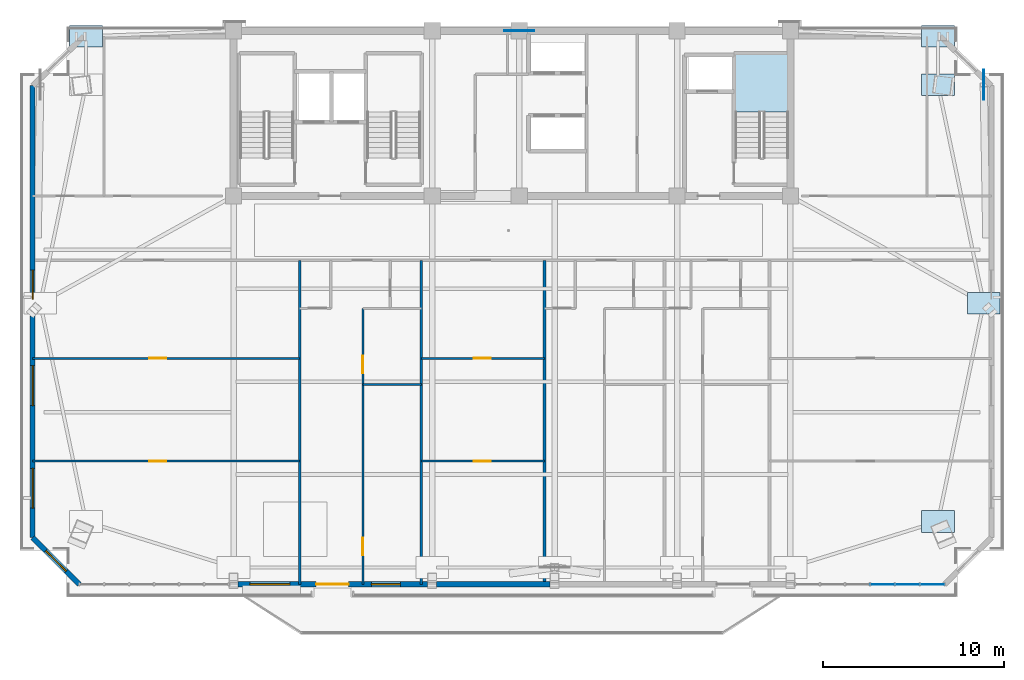
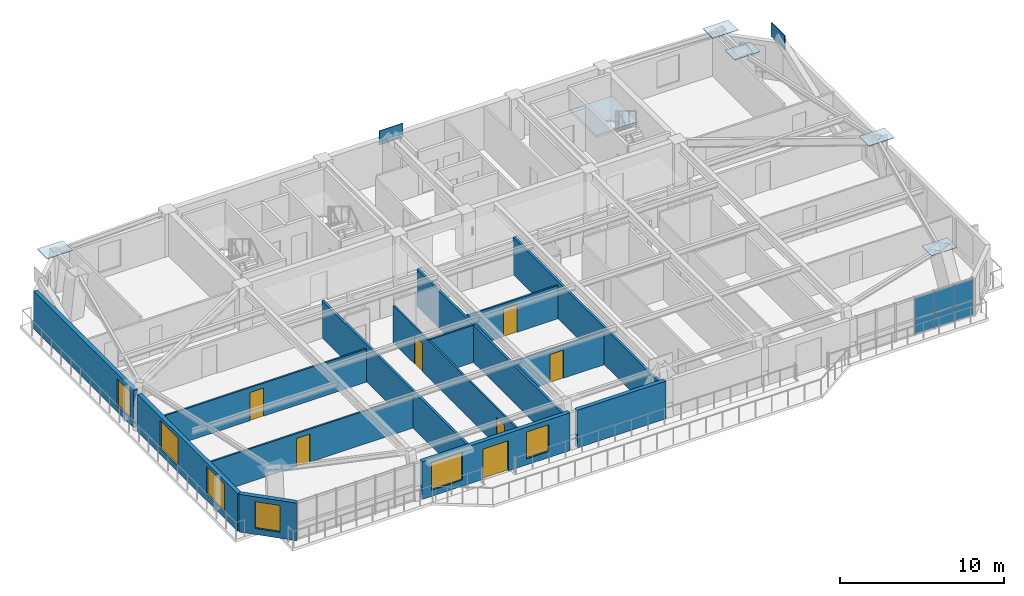
# One storey, part 8 of 18: 14 walls, 13 plates, 7 doors, 6 windows, 1 slab, 13 openings, 2 elements without a shape of their own.
"""IFC4 building model written with IfcOpenShell, lengths in metres."""

from ifc_helpers import new_model, si_unit, direction, frame, frame_2d, origin, origin_2d, place, context, subcontext, project, spatial, polyline, rectangle, outline, extrude, source, transform, mapped, material, layer, layer_set, type_object, element, fill, aggregate, save


model = new_model("IFC4")

# Units and contexts
model_context = context("Model", 3, precision=1e-05, world=origin(), true_north=direction((0.0, 1.0)))
body_context = subcontext(model_context, "Body", "Model", "MODEL_VIEW")
ifc_project = project(units=[si_unit("LENGTHUNIT", "METRE"), si_unit("AREAUNIT", "SQUARE_METRE"), si_unit("VOLUMEUNIT", "CUBIC_METRE"), si_unit("PLANEANGLEUNIT", "RADIAN"), si_unit("MASSUNIT", "GRAM", prefix="KILO")], contexts=[model_context])

# Site, building, storey
site_placement = place(None, origin())
site = spatial("IfcSite", under=ifc_project, at=site_placement, CompositionType="ELEMENT")
building_placement = place(site_placement, origin())
building = spatial("IfcBuilding", under=site, at=building_placement, Name="Giltprow Tower", CompositionType="ELEMENT")
storey_placement = place(building_placement, frame((0.0, 0.0, 265.5)))
storey = spatial("IfcBuildingStorey", under=building, at=storey_placement, Name="L68", CompositionType="ELEMENT", Elevation=265.5)

# Stair, slab
ifc_material_1 = material(Name="Concrete C40", Category="concrete")
stair_type = type_object("IfcStairType", Name="STR-ST-3", PredefinedType="HALF_TURN_STAIR", material=ifc_material_1)
stair_placement = place(storey_placement, origin())
stair = element("IfcStair", 1, at=stair_placement, inside=storey, type_object=stair_type, Name="L68 Core Exit Stair ST-3", PredefinedType="HALF_TURN_STAIR")
ifc_layer_1 = layer(ifc_material_1, 0.196044921875, Name="Concrete C40")
ifc_layer_set_1 = layer_set([ifc_layer_1], Name="Concrete C40")
slab_type = type_object("IfcSlabType", Name="SLD-ST-3", PredefinedType="LANDING", material=ifc_layer_set_1)
slab_placement = place(storey_placement, frame((0.0, 0.0, 1.50390625)))
slab = element("IfcSlab", 2, at=slab_placement, type_object=slab_type, Name="ST-3 landing 1", PredefinedType="LANDING", context=body_context, shape_type="SweptSolid", body=[
    extrude(outline(polyline([(50.4599609375, 42.070068359375), (50.4599609375, 45.25), (47.5, 45.25), (47.5, 42.070068359375), (50.4599609375, 42.070068359375)])), origin(), (0.0, 0.0, 1.0), 0.196044921875),
])
aggregate(stair, [slab])

# Plates
ifc_material_2 = material(Name="Structural steel Q420GJC", Category="steel")
plate_type_1 = type_object("IfcPlateType", Name="PLT-NODE-CKN1", PredefinedType="USERDEFINED", material=ifc_material_2)
shared_shape_1 = source(origin(), body_context, "Body", "SweptSolid", [
    extrude(rectangle(XDim=1.800048828125, YDim=1.199951171875, at=origin_2d()), origin(), (0.0, 0.0, 1.0), 0.044921875),
])
for number, where, z_axis, x_axis, name in (
    (3, (58.68408203125, 19.4990234375, 3.142578125), (0.0, 0.0, 1.0), (1.0, 0.0, 0.0), "CKN1 Column Taper Splice Node L68-MC_SE"),
    (4, (58.68408203125, 43.576904296875, 3.142578125), (0.0, 0.0, 1.0), (1.0, 0.0, 0.0), "CKN1 Column Taper Splice Node L68-MC_NE"),
    (5, (61.20703125, 31.5380859375, 3.142578125), (0.0, 0.0, 1.0), (1.0, 0.0, 0.0), "CKN1 Column Taper Splice Node L68-E_MID"),
    (6, (11.717041015625, 46.25, 3.142578125), (0.0, 0.0, 1.0), (1.0, 0.0, 0.0), "CKN1 Column Taper Splice Node L68-N_W"),
    (7, (58.68408203125, 46.25, 3.142578125), (0.0, 0.0, 1.0), (1.0, 0.0, 0.0), "CKN1 Column Taper Splice Node L68-N_E"),
):
    element("IfcPlate", number, at=place(storey_placement, frame(where, z_axis=z_axis, x_axis=x_axis)), inside=storey, type_object=plate_type_1, Name=name, ObjectType="SPLICE", PredefinedType="USERDEFINED", context=body_context, shape_type="MappedRepresentation", body=[
        mapped(shared_shape_1, transform((0.0, 0.0, 0.0), x_axis=(1.0, 0.0, 0.0), y_axis=(0.0, 1.0, 0.0), z_axis=(0.0, 0.0, 1.0), scale=1.0)),
    ])
plate_type_2 = type_object("IfcPlateType", Name="PLT-NODE-MBN2", PredefinedType="USERDEFINED", material=ifc_material_2)
shared_shape_2 = source(origin(), body_context, "Body", "SweptSolid", [
    extrude(rectangle(XDim=1.64990234375, YDim=0.044921875, at=origin_2d()), origin(), (0.0, 0.0, 1.0), 1.050048828125),
])
for number, where, z_axis, x_axis, name in (
    (8, (35.60009765625, 46.550048828125, 2.73486328125), (0.0, 0.0, 1.0), (1.0, 0.0, 0.0), "Mega-Brace Node L68-N-LB"),
    (9, (61.20703125, 43.576904296875, 2.875), (0.0, 0.0, 1.0), (0.0, 1.0, 0.0), "Mega-Brace Node L68-E-DB"),
):
    element("IfcPlate", number, at=place(storey_placement, frame(where, z_axis=z_axis, x_axis=x_axis)), inside=storey, type_object=plate_type_2, Name=name, ObjectType="GUSSET", PredefinedType="USERDEFINED", context=body_context, shape_type="MappedRepresentation", body=[
        mapped(shared_shape_2, transform((0.0, 0.0, 0.0), x_axis=(1.0, 0.0, 0.0), y_axis=(0.0, 1.0, 0.0), z_axis=(0.0, 0.0, 1.0), scale=1.0)),
    ])

# Curtain wall, plates
ifc_material_3 = material(Name="Anodized bronze", Category="metal")
ifc_layer_2 = layer(ifc_material_3, 0.179931640625, Name="Anodized bronze")
ifc_layer_set_2 = layer_set([ifc_layer_2], Name="Anodized bronze")
curtain_wall_type = type_object("IfcCurtainWallType", Name="CW-RES-SKY", PredefinedType="NOTDEFINED", material=ifc_layer_set_2)
curtain_wall_placement = place(storey_placement, origin())
curtain_wall = element("IfcCurtainWall", 10, at=curtain_wall_placement, inside=storey, type_object=curtain_wall_type, Name="L68 South Recessed Curtain Wall 6", PredefinedType="NOTDEFINED")
ifc_material_4 = material(Name="Insulated glass", Category="glass")
plate_type_3 = type_object("IfcPlateType", Name="CW-PANEL-IGU-28", PredefinedType="CURTAIN_PANEL", material=ifc_material_4)
shared_shape_3 = source(origin(), body_context, "Body", "SweptSolid", [
    extrude(rectangle(XDim=1.345947265625, YDim=0.028076171875, at=origin_2d()), origin(), (0.0, 0.0, 1.0), 1.114013671875),
])
plate_1_placement = place(storey_placement, frame((55.614013671875, 16.044921875, 0.05419921875), z_axis=(0.0, 0.0, 1.0), x_axis=(1.0, 0.0, 0.0)))
plate_1 = element("IfcPlate", 11, at=plate_1_placement, type_object=plate_type_3, Name="L68 South Recessed Curtain Wall 6 Glazing Panel 4-1", PredefinedType="CURTAIN_PANEL", context=body_context, shape_type="MappedRepresentation", body=[
    mapped(shared_shape_3, transform((0.0, 0.0, 0.0), x_axis=(1.0, 0.0, 0.0), y_axis=(0.0, 1.0, 0.0), z_axis=(0.0, 0.0, 1.0), scale=1.0)),
])
plate_2_placement = place(storey_placement, frame((56.989990234375, 16.044921875, 0.05419921875), z_axis=(0.0, 0.0, 1.0), x_axis=(1.0, 0.0, 0.0)))
plate_2 = element("IfcPlate", 12, at=plate_2_placement, type_object=plate_type_3, Name="L68 South Recessed Curtain Wall 6 Glazing Panel 5-1", PredefinedType="CURTAIN_PANEL", context=body_context, shape_type="MappedRepresentation", body=[
    mapped(shared_shape_3, transform((0.0, 0.0, 0.0), x_axis=(1.0, 0.0, 0.0), y_axis=(0.0, 1.0, 0.0), z_axis=(0.0, 0.0, 1.0), scale=1.0)),
])
plate_3_placement = place(storey_placement, frame((58.364990234375, 16.044921875, 0.05419921875), z_axis=(0.0, 0.0, 1.0), x_axis=(1.0, 0.0, 0.0)))
plate_3 = element("IfcPlate", 13, at=plate_3_placement, type_object=plate_type_3, Name="L68 South Recessed Curtain Wall 6 Glazing Panel 6-1", PredefinedType="CURTAIN_PANEL", context=body_context, shape_type="MappedRepresentation", body=[
    mapped(shared_shape_3, transform((0.0, 0.0, 0.0), x_axis=(1.0, 0.0, 0.0), y_axis=(0.0, 1.0, 0.0), z_axis=(0.0, 0.0, 1.0), scale=1.0)),
])
shared_shape_4 = source(origin(), body_context, "Body", "SweptSolid", [
    extrude(rectangle(XDim=1.345947265625, YDim=0.028076171875, at=origin_2d()), origin(), (0.0, 0.0, 1.0), 1.56494140625),
])
plate_4_placement = place(storey_placement, frame((55.614013671875, 16.044921875, 1.195556640625), z_axis=(0.0, 0.0, 1.0), x_axis=(1.0, 0.0, 0.0)))
plate_4 = element("IfcPlate", 14, at=plate_4_placement, type_object=plate_type_3, Name="L68 South Recessed Curtain Wall 6 Glazing Panel 4-2", PredefinedType="CURTAIN_PANEL", context=body_context, shape_type="MappedRepresentation", body=[
    mapped(shared_shape_4, transform((0.0, 0.0, 0.0), x_axis=(1.0, 0.0, 0.0), y_axis=(0.0, 1.0, 0.0), z_axis=(0.0, 0.0, 1.0), scale=1.0)),
])
plate_5_placement = place(storey_placement, frame((56.989990234375, 16.044921875, 1.195556640625), z_axis=(0.0, 0.0, 1.0), x_axis=(1.0, 0.0, 0.0)))
plate_5 = element("IfcPlate", 15, at=plate_5_placement, type_object=plate_type_3, Name="L68 South Recessed Curtain Wall 6 Glazing Panel 5-2", PredefinedType="CURTAIN_PANEL", context=body_context, shape_type="MappedRepresentation", body=[
    mapped(shared_shape_4, transform((0.0, 0.0, 0.0), x_axis=(1.0, 0.0, 0.0), y_axis=(0.0, 1.0, 0.0), z_axis=(0.0, 0.0, 1.0), scale=1.0)),
])
plate_6_placement = place(storey_placement, frame((58.364990234375, 16.044921875, 1.195556640625), z_axis=(0.0, 0.0, 1.0), x_axis=(1.0, 0.0, 0.0)))
plate_6 = element("IfcPlate", 16, at=plate_6_placement, type_object=plate_type_3, Name="L68 South Recessed Curtain Wall 6 Glazing Panel 6-2", PredefinedType="CURTAIN_PANEL", context=body_context, shape_type="MappedRepresentation", body=[
    mapped(shared_shape_4, transform((0.0, 0.0, 0.0), x_axis=(1.0, 0.0, 0.0), y_axis=(0.0, 1.0, 0.0), z_axis=(0.0, 0.0, 1.0), scale=1.0)),
])
aggregate(curtain_wall, [plate_1, plate_4, plate_2, plate_5, plate_3, plate_6])

# Wall, opening, window
ifc_material_5 = material(Name="Precast concrete C40", Category="concrete")
ifc_layer_3 = layer(ifc_material_5, 0.300048828125, Name="Precast concrete C40")
ifc_layer_set_3 = layer_set([ifc_layer_3], Name="Precast concrete C40")
wall_type_1 = type_object("IfcWallType", Name="EW-NOTCH-CHAMFER-300", PredefinedType="SOLIDWALL", material=ifc_layer_set_3)
wall_1_placement = place(storey_placement, frame((8.779052734375, 18.614013671875, 0.0), z_axis=(0.0, 0.0, 1.0), x_axis=(0.707073180636, -0.70714038014, 0.0)))
wall_1 = element("IfcWall", 17, at=wall_1_placement, inside=storey, type_object=wall_type_1, Name="L68 Corner Notch Wall SW", PredefinedType="SOLIDWALL", context=body_context, shape_type="SweptSolid", body=[
    extrude(rectangle(XDim=3.633056640625, YDim=0.300048828125, at=frame_2d((1.81640625, 0.0))), origin(), (0.0, 0.0, 1.0), 2.81494140625),
])
opening_1_placement = place(wall_1_placement, frame((1.01708984375, 0.0, 0.449951171875)))
opening_1 = element("IfcOpeningElement", 18, at=opening_1_placement, cuts=wall_1, Name="Opening WN17", PredefinedType="OPENING", context=body_context, shape_type="SweptSolid", body=[
    extrude(rectangle(XDim=1.60009765625, YDim=2.0, at=frame_2d((0.800048828125, 1.0))), frame((0.0, 0.159912109375, 0.0), z_axis=(0.0, -1.0, 0.0), x_axis=(1.0, 0.0, 0.0)), (0.0, 0.0, 1.0), 0.320068359375),
])
window_type_1 = type_object("IfcWindowType", Name="WN-COR-1600x2000", PartitioningType="SINGLE_PANEL", PredefinedType="WINDOW", material=ifc_material_4)
shared_shape_5 = source(origin(), body_context, "Body", "SweptSolid", [
    extrude(rectangle(XDim=1.60009765625, YDim=2.0, at=frame_2d((0.800048828125, 1.0))), frame((0.0, 0.030029296875, 0.0), z_axis=(0.0, -1.0, 0.0), x_axis=(1.0, 0.0, 0.0)), (0.0, 0.0, 1.0), 0.06005859375),
])
window_1_placement = place(opening_1_placement, origin())
window_1 = element("IfcWindow", 19, at=window_1_placement, inside=storey, type_object=window_type_1, Name="L68 Corner Notch Window SW", OverallHeight=2.0, OverallWidth=1.60009765625, PartitioningType="SINGLE_PANEL", PredefinedType="WINDOW", context=body_context, shape_type="MappedRepresentation", body=[
    mapped(shared_shape_5, transform((0.0, 0.0, 0.0), x_axis=(1.0, 0.0, 0.0), y_axis=(0.0, 1.0, 0.0), z_axis=(0.0, 0.0, 1.0), scale=1.0)),
])
fill(opening_1, window_1)

# Wall, openings, windows, door
ifc_layer_4 = layer(ifc_material_5, 0.280029296875, Name="Precast concrete C40")
ifc_layer_set_4 = layer_set([ifc_layer_4], Name="Precast concrete C40")
wall_type_2 = type_object("IfcWallType", Name="EW-TOW-BRONZE-280", PredefinedType="SOLIDWALL", material=ifc_layer_set_4)
wall_2_placement = place(storey_placement, frame((20.10009765625, 16.044921875, 0.0), z_axis=(0.0, 0.0, 1.0), x_axis=(1.0, 0.0, 0.0)))
wall_2 = element("IfcWall", 20, at=wall_2_placement, inside=storey, type_object=wall_type_2, Name="L68 South Expressed Frame Wall 2", PredefinedType="SOLIDWALL", context=body_context, shape_type="SweptSolid", body=[
    extrude(rectangle(XDim=10.449951171875, YDim=0.280029296875, at=frame_2d((5.22509765625, 0.0))), origin(), (0.0, 0.0, 1.0), 2.81494140625),
])
opening_2_placement = place(wall_2_placement, frame((4.300048828125, 0.0, 0.0)))
opening_2 = element("IfcOpeningElement", 21, at=opening_2_placement, cuts=wall_2, Name="Opening ED25", PredefinedType="OPENING", context=body_context, shape_type="SweptSolid", body=[
    extrude(rectangle(XDim=1.800048828125, YDim=2.25, at=frame_2d((0.89990234375, 1.125))), frame((0.0, 0.14990234375, 0.0), z_axis=(0.0, -1.0, 0.0), x_axis=(1.0, 0.0, 0.0)), (0.0, 0.0, 1.0), 0.300048828125),
])
opening_3_placement = place(wall_2_placement, frame((0.64990234375, 0.0, 0.449951171875)))
opening_3 = element("IfcOpeningElement", 22, at=opening_3_placement, cuts=wall_2, Name="Opening WN27", PredefinedType="OPENING", context=body_context, shape_type="SweptSolid", body=[
    extrude(rectangle(XDim=2.199951171875, YDim=2.10009765625, at=frame_2d((1.10009765625, 1.050048828125))), frame((0.0, 0.14990234375, 0.0), z_axis=(0.0, -1.0, 0.0), x_axis=(1.0, 0.0, 0.0)), (0.0, 0.0, 1.0), 0.300048828125),
])
opening_4_placement = place(wall_2_placement, frame((7.35009765625, 0.0, 0.449951171875)))
opening_4 = element("IfcOpeningElement", 23, at=opening_4_placement, cuts=wall_2, Name="Opening WN17", PredefinedType="OPENING", context=body_context, shape_type="SweptSolid", body=[
    extrude(rectangle(XDim=1.60009765625, YDim=2.0, at=frame_2d((0.800048828125, 1.0))), frame((0.0, 0.14990234375, 0.0), z_axis=(0.0, -1.0, 0.0), x_axis=(1.0, 0.0, 0.0)), (0.0, 0.0, 1.0), 0.300048828125),
])
window_2_placement = place(opening_4_placement, origin())
window_2 = element("IfcWindow", 24, at=window_2_placement, inside=storey, type_object=window_type_1, Name="L68 South Window 2B", OverallHeight=2.0, OverallWidth=1.60009765625, PartitioningType="SINGLE_PANEL", PredefinedType="WINDOW", context=body_context, shape_type="MappedRepresentation", body=[
    mapped(shared_shape_5, transform((0.0, 0.0, 0.0), x_axis=(1.0, 0.0, 0.0), y_axis=(0.0, 1.0, 0.0), z_axis=(0.0, 0.0, 1.0), scale=1.0)),
])
fill(opening_4, window_2)
ifc_material_6 = material(Name="Anodized bronze and glass", Category="glass")
door_type_1 = type_object("IfcDoorType", Name="DR-BALC-SLIDE-1800", OperationType="SLIDING_TO_LEFT", PredefinedType="DOOR", material=ifc_material_6)
shared_shape_6 = source(origin(), body_context, "Body", "SweptSolid", [
    extrude(rectangle(XDim=1.800048828125, YDim=2.25, at=frame_2d((0.89990234375, 1.125))), frame((0.0, 0.02490234375, 0.0), z_axis=(0.0, -1.0, 0.0), x_axis=(1.0, 0.0, 0.0)), (0.0, 0.0, 1.0), 0.050048828125),
])
door_1_placement = place(opening_2_placement, origin())
door_1 = element("IfcDoor", 25, at=door_1_placement, inside=storey, type_object=door_type_1, Name="L68 Waterfront Balcony Sliding Door 1", OperationType="SLIDING_TO_LEFT", OverallHeight=2.25, OverallWidth=1.800048828125, PredefinedType="DOOR", context=body_context, shape_type="MappedRepresentation", body=[
    mapped(shared_shape_6, transform((0.0, 0.0, 0.0), x_axis=(1.0, 0.0, 0.0), y_axis=(0.0, 1.0, 0.0), z_axis=(0.0, 0.0, 1.0), scale=1.0)),
])
fill(opening_2, door_1)
window_type_2 = type_object("IfcWindowType", Name="WN-RES-2200x2100", PartitioningType="TRIPLE_PANEL_VERTICAL", PredefinedType="WINDOW", material=ifc_material_4)
shared_shape_7 = source(origin(), body_context, "Body", "SweptSolid", [
    extrude(rectangle(XDim=2.199951171875, YDim=2.10009765625, at=frame_2d((1.10009765625, 1.050048828125))), frame((0.0, 0.030029296875, 0.0), z_axis=(0.0, -1.0, 0.0), x_axis=(1.0, 0.0, 0.0)), (0.0, 0.0, 1.0), 0.06005859375),
])
window_3_placement = place(opening_3_placement, origin())
window_3 = element("IfcWindow", 26, at=window_3_placement, inside=storey, type_object=window_type_2, Name="L68 South Window 2A", OverallHeight=2.10009765625, OverallWidth=2.199951171875, PartitioningType="SINGLE_PANEL", PredefinedType="WINDOW", context=body_context, shape_type="MappedRepresentation", body=[
    mapped(shared_shape_7, transform((0.0, 0.0, 0.0), x_axis=(1.0, 0.0, 0.0), y_axis=(0.0, 1.0, 0.0), z_axis=(0.0, 0.0, 1.0), scale=1.0)),
])
fill(opening_3, window_3)

# Wall
wall_3_placement = place(storey_placement, frame((31.050048828125, 16.044921875, 0.0), z_axis=(0.0, 0.0, 1.0), x_axis=(1.0, 0.0, 0.0)))
element("IfcWall", 27, at=wall_3_placement, inside=storey, type_object=wall_type_2, Name="L68 South Expressed Frame Wall 3", PredefinedType="SOLIDWALL", context=body_context, shape_type="SweptSolid", body=[
    extrude(rectangle(XDim=6.25, YDim=0.280029296875, at=frame_2d((3.125, 0.0))), origin(), (0.0, 0.0, 1.0), 2.81494140625),
])

# Wall, openings, windows
wall_4_placement = place(storey_placement, frame((8.779052734375, 18.614013671875, 0.0), z_axis=(0.0, 0.0, 1.0), x_axis=(0.0, 1.0, 0.0)))
wall_4 = element("IfcWall", 28, at=wall_4_placement, inside=storey, type_object=wall_type_2, Name="L68 W Wing Masonry Wall 1", PredefinedType="SOLIDWALL", context=body_context, shape_type="SweptSolid", body=[
    extrude(rectangle(XDim=12.2080078125, YDim=0.280029296875, at=frame_2d((6.10400390625, 0.0))), origin(), (0.0, 0.0, 1.0), 2.81494140625),
])
opening_5_placement = place(wall_4_placement, frame((1.62109375, 0.0, 0.449951171875)))
opening_5 = element("IfcOpeningElement", 29, at=opening_5_placement, cuts=wall_4, Name="Opening WN27", PredefinedType="OPENING", context=body_context, shape_type="SweptSolid", body=[
    extrude(rectangle(XDim=2.199951171875, YDim=2.10009765625, at=frame_2d((1.10009765625, 1.050048828125))), frame((0.0, 0.14990234375, 0.0), z_axis=(0.0, -1.0, 0.0), x_axis=(1.0, 0.0, 0.0)), (0.0, 0.0, 1.0), 0.300048828125),
])
opening_6_placement = place(wall_4_placement, frame((7.280029296875, 0.0, 0.449951171875)))
opening_6 = element("IfcOpeningElement", 30, at=opening_6_placement, cuts=wall_4, Name="Opening WN27", PredefinedType="OPENING", context=body_context, shape_type="SweptSolid", body=[
    extrude(rectangle(XDim=2.199951171875, YDim=2.10009765625, at=frame_2d((1.10009765625, 1.050048828125))), frame((0.0, 0.14990234375, 0.0), z_axis=(0.0, -1.0, 0.0), x_axis=(1.0, 0.0, 0.0)), (0.0, 0.0, 1.0), 0.300048828125),
])
window_4_placement = place(opening_5_placement, origin())
window_4 = element("IfcWindow", 31, at=window_4_placement, inside=storey, type_object=window_type_2, Name="L68 W Wing Window 1-1A", OverallHeight=2.10009765625, OverallWidth=2.199951171875, PartitioningType="SINGLE_PANEL", PredefinedType="WINDOW", context=body_context, shape_type="MappedRepresentation", body=[
    mapped(shared_shape_7, transform((0.0, 0.0, 0.0), x_axis=(1.0, 0.0, 0.0), y_axis=(0.0, 1.0, 0.0), z_axis=(0.0, 0.0, 1.0), scale=1.0)),
])
fill(opening_5, window_4)
window_5_placement = place(opening_6_placement, origin())
window_5 = element("IfcWindow", 32, at=window_5_placement, inside=storey, type_object=window_type_2, Name="L68 W Wing Window 1-1B", OverallHeight=2.10009765625, OverallWidth=2.199951171875, PartitioningType="SINGLE_PANEL", PredefinedType="WINDOW", context=body_context, shape_type="MappedRepresentation", body=[
    mapped(shared_shape_7, transform((0.0, 0.0, 0.0), x_axis=(1.0, 0.0, 0.0), y_axis=(0.0, 1.0, 0.0), z_axis=(0.0, 0.0, 1.0), scale=1.0)),
])
fill(opening_6, window_5)

# Wall, opening, window
wall_5_placement = place(storey_placement, frame((8.779052734375, 31.322021484375, 0.0), z_axis=(0.0, 0.0, 1.0), x_axis=(0.0, 1.0, 0.0)))
wall_5 = element("IfcWall", 33, at=wall_5_placement, inside=storey, type_object=wall_type_2, Name="L68 W Wing Masonry Wall 2", PredefinedType="SOLIDWALL", context=body_context, shape_type="SweptSolid", body=[
    extrude(rectangle(XDim=12.2080078125, YDim=0.280029296875, at=frame_2d((6.10400390625, 0.0))), origin(), (0.0, 0.0, 1.0), 2.81494140625),
])
opening_7_placement = place(wall_5_placement, frame((0.446044921875, 0.0, 0.449951171875)))
opening_7 = element("IfcOpeningElement", 34, at=opening_7_placement, cuts=wall_5, Name="Opening WN17", PredefinedType="OPENING", context=body_context, shape_type="SweptSolid", body=[
    extrude(rectangle(XDim=1.60009765625, YDim=2.0, at=frame_2d((0.800048828125, 1.0))), frame((0.0, 0.14990234375, 0.0), z_axis=(0.0, -1.0, 0.0), x_axis=(1.0, 0.0, 0.0)), (0.0, 0.0, 1.0), 0.300048828125),
])
window_6_placement = place(opening_7_placement, origin())
window_6 = element("IfcWindow", 35, at=window_6_placement, inside=storey, type_object=window_type_1, Name="L68 W Wing Window 2-1", OverallHeight=2.0, OverallWidth=1.60009765625, PartitioningType="SINGLE_PANEL", PredefinedType="WINDOW", context=body_context, shape_type="MappedRepresentation", body=[
    mapped(shared_shape_5, transform((0.0, 0.0, 0.0), x_axis=(1.0, 0.0, 0.0), y_axis=(0.0, 1.0, 0.0), z_axis=(0.0, 0.0, 1.0), scale=1.0)),
])
fill(opening_7, window_6)

# Walls
ifc_material_7 = material(Name="Gypsum stud partition", Category="gypsum")
ifc_layer_5 = layer(ifc_material_7, 0.159912109375, Name="Gypsum stud partition")
ifc_layer_set_5 = layer_set([ifc_layer_5], Name="Gypsum stud partition")
wall_type_3 = type_object("IfcWallType", Name="IW-DEMISE-160", PredefinedType="PARTITIONING", material=ifc_layer_set_5)
for number, where, z_axis, x_axis, name in (
    (36, (23.5, 16.044921875, 0.0), (0.0, 0.0, 1.0), (0.0, 1.0, 0.0), "L68 Apartment Party Wall 1"),
    (37, (30.199951171875, 16.044921875, 0.0), (0.0, 0.0, 1.0), (0.0, 1.0, 0.0), "L68 Apartment Party Wall 2"),
    (38, (37.0, 16.044921875, 0.0), (0.0, 0.0, 1.0), (0.0, 1.0, 0.0), "L68 Apartment Party Wall 3"),
):
    element("IfcWall", number, at=place(storey_placement, frame(where, z_axis=z_axis, x_axis=x_axis)), inside=storey, type_object=wall_type_3, Name=name, PredefinedType="PARTITIONING", context=body_context, shape_type="SweptSolid", body=[
        extrude(rectangle(XDim=17.85498046875, YDim=0.159912109375, at=frame_2d((8.927490234375, 0.0))), origin(), (0.0, 0.0, 1.0), 2.77001953125),
    ])

# Wall, opening, door
ifc_layer_6 = layer(ifc_material_7, 0.1201171875, Name="Gypsum stud partition")
ifc_layer_set_6 = layer_set([ifc_layer_6], Name="Gypsum stud partition")
wall_type_4 = type_object("IfcWallType", Name="IW-ROOM-120", PredefinedType="PARTITIONING", material=ifc_layer_set_6)
wall_6_placement = place(storey_placement, frame((8.779052734375, 22.8349609375, 0.0), z_axis=(0.0, 0.0, 1.0), x_axis=(1.0, 0.0, 0.0)))
wall_6 = element("IfcWall", 39, at=wall_6_placement, inside=storey, type_object=wall_type_4, Name="L68 Special Split 1", PredefinedType="PARTITIONING", context=body_context, shape_type="SweptSolid", body=[
    extrude(rectangle(XDim=14.720947265625, YDim=0.1201171875, at=frame_2d((7.3603515625, 0.0))), origin(), (0.0, 0.0, 1.0), 2.469970703125),
])
opening_8_placement = place(wall_6_placement, frame((6.423095703125, 0.0, 0.0)))
opening_8 = element("IfcOpeningElement", 40, at=opening_8_placement, cuts=wall_6, Name="Opening ID11", PredefinedType="OPENING", context=body_context, shape_type="SweptSolid", body=[
    extrude(rectangle(XDim=0.949951171875, YDim=2.10009765625, at=frame_2d((0.47509765625, 1.050048828125))), frame((0.0, 0.070068359375, 0.0), z_axis=(0.0, -1.0, 0.0), x_axis=(1.0, 0.0, 0.0)), (0.0, 0.0, 1.0), 0.14013671875),
])
ifc_material_8 = material(Name="Engineered timber", Category="wood")
door_type_2 = type_object("IfcDoorType", Name="DR-ROOM-950", OperationType="SINGLE_SWING_RIGHT", PredefinedType="DOOR", material=ifc_material_8)
shared_shape_8 = source(origin(), body_context, "Body", "SweptSolid", [
    extrude(rectangle(XDim=0.949951171875, YDim=2.10009765625, at=frame_2d((0.47509765625, 1.050048828125))), frame((0.0, 0.02490234375, 0.0), z_axis=(0.0, -1.0, 0.0), x_axis=(1.0, 0.0, 0.0)), (0.0, 0.0, 1.0), 0.050048828125),
])
door_2_placement = place(opening_8_placement, origin())
door_2 = element("IfcDoor", 41, at=door_2_placement, inside=storey, type_object=door_type_2, Name="L68 Residents Board Meeting Room 1 South Door", OperationType="SINGLE_SWING_RIGHT", OverallHeight=2.10009765625, OverallWidth=0.949951171875, PredefinedType="DOOR", context=body_context, shape_type="MappedRepresentation", body=[
    mapped(shared_shape_8, transform((0.0, 0.0, 0.0), x_axis=(1.0, 0.0, 0.0), y_axis=(0.0, 1.0, 0.0), z_axis=(0.0, 0.0, 1.0), scale=1.0)),
])
fill(opening_8, door_2)

wall_7_placement = place(storey_placement, frame((8.779052734375, 28.493896484375, 0.0), z_axis=(0.0, 0.0, 1.0), x_axis=(1.0, 0.0, 0.0)))
wall_7 = element("IfcWall", 42, at=wall_7_placement, inside=storey, type_object=wall_type_4, Name="L68 Special Split 2", PredefinedType="PARTITIONING", context=body_context, shape_type="SweptSolid", body=[
    extrude(rectangle(XDim=14.720947265625, YDim=0.1201171875, at=frame_2d((7.3603515625, 0.0))), origin(), (0.0, 0.0, 1.0), 2.469970703125),
])
opening_9_placement = place(wall_7_placement, frame((6.423095703125, 0.0, 0.0)))
opening_9 = element("IfcOpeningElement", 43, at=opening_9_placement, cuts=wall_7, Name="Opening ID11", PredefinedType="OPENING", context=body_context, shape_type="SweptSolid", body=[
    extrude(rectangle(XDim=0.949951171875, YDim=2.10009765625, at=frame_2d((0.47509765625, 1.050048828125))), frame((0.0, 0.070068359375, 0.0), z_axis=(0.0, -1.0, 0.0), x_axis=(1.0, 0.0, 0.0)), (0.0, 0.0, 1.0), 0.14013671875),
])
door_3_placement = place(opening_9_placement, origin())
door_3 = element("IfcDoor", 44, at=door_3_placement, inside=storey, type_object=door_type_2, Name="L68 Residents Board Meeting Room 1 Mid Door", OperationType="SINGLE_SWING_LEFT", OverallHeight=2.10009765625, OverallWidth=0.949951171875, PredefinedType="DOOR", context=body_context, shape_type="MappedRepresentation", body=[
    mapped(shared_shape_8, transform((0.0, 0.0, 0.0), x_axis=(1.0, 0.0, 0.0), y_axis=(0.0, 1.0, 0.0), z_axis=(0.0, 0.0, 1.0), scale=1.0)),
])
fill(opening_9, door_3)

# Wall, openings, doors
wall_8_placement = place(storey_placement, frame((26.97998046875, 16.044921875, 0.0), z_axis=(0.0, 0.0, 1.0), x_axis=(0.0, 1.0, 0.0)))
wall_8 = element("IfcWall", 45, at=wall_8_placement, inside=storey, type_object=wall_type_4, Name="L68 Unit 1 Bedroom Wall", PredefinedType="PARTITIONING", context=body_context, shape_type="SweptSolid", body=[
    extrude(rectangle(XDim=15.205078125, YDim=0.1201171875, at=frame_2d((7.6025390625, 0.0))), origin(), (0.0, 0.0, 1.0), 2.77001953125),
])
opening_10_placement = place(wall_8_placement, frame((1.60107421875, 0.0, 0.0)))
opening_10 = element("IfcOpeningElement", 46, at=opening_10_placement, cuts=wall_8, Name="Opening ID11", PredefinedType="OPENING", context=body_context, shape_type="SweptSolid", body=[
    extrude(rectangle(XDim=0.949951171875, YDim=2.10009765625, at=frame_2d((0.47509765625, 1.050048828125))), frame((0.0, 0.070068359375, 0.0), z_axis=(0.0, -1.0, 0.0), x_axis=(1.0, 0.0, 0.0)), (0.0, 0.0, 1.0), 0.14013671875),
])
opening_11_placement = place(wall_8_placement, frame((11.64501953125, 0.0, 0.0)))
opening_11 = element("IfcOpeningElement", 47, at=opening_11_placement, cuts=wall_8, Name="Opening ID11", PredefinedType="OPENING", context=body_context, shape_type="SweptSolid", body=[
    extrude(rectangle(XDim=0.949951171875, YDim=2.10009765625, at=frame_2d((0.47509765625, 1.050048828125))), frame((0.0, 0.070068359375, 0.0), z_axis=(0.0, -1.0, 0.0), x_axis=(1.0, 0.0, 0.0)), (0.0, 0.0, 1.0), 0.14013671875),
])
door_4_placement = place(opening_10_placement, origin())
door_4 = element("IfcDoor", 48, at=door_4_placement, inside=storey, type_object=door_type_2, Name="L68 Unit 1 Primary Bedroom Door", OperationType="SINGLE_SWING_RIGHT", OverallHeight=2.10009765625, OverallWidth=0.949951171875, PredefinedType="DOOR", context=body_context, shape_type="MappedRepresentation", body=[
    mapped(shared_shape_8, transform((0.0, 0.0, 0.0), x_axis=(1.0, 0.0, 0.0), y_axis=(0.0, 1.0, 0.0), z_axis=(0.0, 0.0, 1.0), scale=1.0)),
])
fill(opening_10, door_4)
door_5_placement = place(opening_11_placement, origin())
door_5 = element("IfcDoor", 49, at=door_5_placement, inside=storey, type_object=door_type_2, Name="L68 Unit 1 Second Bedroom Door", OperationType="SINGLE_SWING_LEFT", OverallHeight=2.10009765625, OverallWidth=0.949951171875, PredefinedType="DOOR", context=body_context, shape_type="MappedRepresentation", body=[
    mapped(shared_shape_8, transform((0.0, 0.0, 0.0), x_axis=(1.0, 0.0, 0.0), y_axis=(0.0, 1.0, 0.0), z_axis=(0.0, 0.0, 1.0), scale=1.0)),
])
fill(opening_11, door_5)

# Wall
wall_9_placement = place(storey_placement, frame((26.97998046875, 27.050048828125, 0.0), z_axis=(0.0, 0.0, 1.0), x_axis=(1.0, 0.0, 0.0)))
element("IfcWall", 50, at=wall_9_placement, inside=storey, type_object=wall_type_4, Name="L68 Unit 1 Second Bedroom Wall", PredefinedType="PARTITIONING", context=body_context, shape_type="SweptSolid", body=[
    extrude(rectangle(XDim=3.219970703125, YDim=0.1201171875, at=frame_2d((1.60986328125, 0.0))), origin(), (0.0, 0.0, 1.0), 2.77001953125),
])

# Wall, opening, door
wall_10_placement = place(storey_placement, frame((30.199951171875, 22.8349609375, 0.0), z_axis=(0.0, 0.0, 1.0), x_axis=(1.0, 0.0, 0.0)))
wall_10 = element("IfcWall", 51, at=wall_10_placement, inside=storey, type_object=wall_type_4, Name="L68 Special Split 1", PredefinedType="PARTITIONING", context=body_context, shape_type="SweptSolid", body=[
    extrude(rectangle(XDim=6.800048828125, YDim=0.1201171875, at=frame_2d((3.39990234375, 0.0))), origin(), (0.0, 0.0, 1.0), 2.469970703125),
])
opening_12_placement = place(wall_10_placement, frame((2.885986328125, 0.0, 0.0)))
opening_12 = element("IfcOpeningElement", 52, at=opening_12_placement, cuts=wall_10, Name="Opening ID11", PredefinedType="OPENING", context=body_context, shape_type="SweptSolid", body=[
    extrude(rectangle(XDim=0.949951171875, YDim=2.10009765625, at=frame_2d((0.47509765625, 1.050048828125))), frame((0.0, 0.070068359375, 0.0), z_axis=(0.0, -1.0, 0.0), x_axis=(1.0, 0.0, 0.0)), (0.0, 0.0, 1.0), 0.14013671875),
])
door_6_placement = place(opening_12_placement, origin())
door_6 = element("IfcDoor", 53, at=door_6_placement, inside=storey, type_object=door_type_2, Name="L68 Briefing Meeting Room 2 South Door", OperationType="SINGLE_SWING_RIGHT", OverallHeight=2.10009765625, OverallWidth=0.949951171875, PredefinedType="DOOR", context=body_context, shape_type="MappedRepresentation", body=[
    mapped(shared_shape_8, transform((0.0, 0.0, 0.0), x_axis=(1.0, 0.0, 0.0), y_axis=(0.0, 1.0, 0.0), z_axis=(0.0, 0.0, 1.0), scale=1.0)),
])
fill(opening_12, door_6)

wall_11_placement = place(storey_placement, frame((30.199951171875, 28.493896484375, 0.0), z_axis=(0.0, 0.0, 1.0), x_axis=(1.0, 0.0, 0.0)))
wall_11 = element("IfcWall", 54, at=wall_11_placement, inside=storey, type_object=wall_type_4, Name="L68 Special Split 2", PredefinedType="PARTITIONING", context=body_context, shape_type="SweptSolid", body=[
    extrude(rectangle(XDim=6.800048828125, YDim=0.1201171875, at=frame_2d((3.39990234375, 0.0))), origin(), (0.0, 0.0, 1.0), 2.469970703125),
])
opening_13_placement = place(wall_11_placement, frame((2.885986328125, 0.0, 0.0)))
opening_13 = element("IfcOpeningElement", 55, at=opening_13_placement, cuts=wall_11, Name="Opening ID11", PredefinedType="OPENING", context=body_context, shape_type="SweptSolid", body=[
    extrude(rectangle(XDim=0.949951171875, YDim=2.10009765625, at=frame_2d((0.47509765625, 1.050048828125))), frame((0.0, 0.070068359375, 0.0), z_axis=(0.0, -1.0, 0.0), x_axis=(1.0, 0.0, 0.0)), (0.0, 0.0, 1.0), 0.14013671875),
])
door_7_placement = place(opening_13_placement, origin())
door_7 = element("IfcDoor", 56, at=door_7_placement, inside=storey, type_object=door_type_2, Name="L68 Briefing Meeting Room 2 Mid Door", OperationType="SINGLE_SWING_LEFT", OverallHeight=2.10009765625, OverallWidth=0.949951171875, PredefinedType="DOOR", context=body_context, shape_type="MappedRepresentation", body=[
    mapped(shared_shape_8, transform((0.0, 0.0, 0.0), x_axis=(1.0, 0.0, 0.0), y_axis=(0.0, 1.0, 0.0), z_axis=(0.0, 0.0, 1.0), scale=1.0)),
])
fill(opening_13, door_7)

save(model, "model.ifc")
